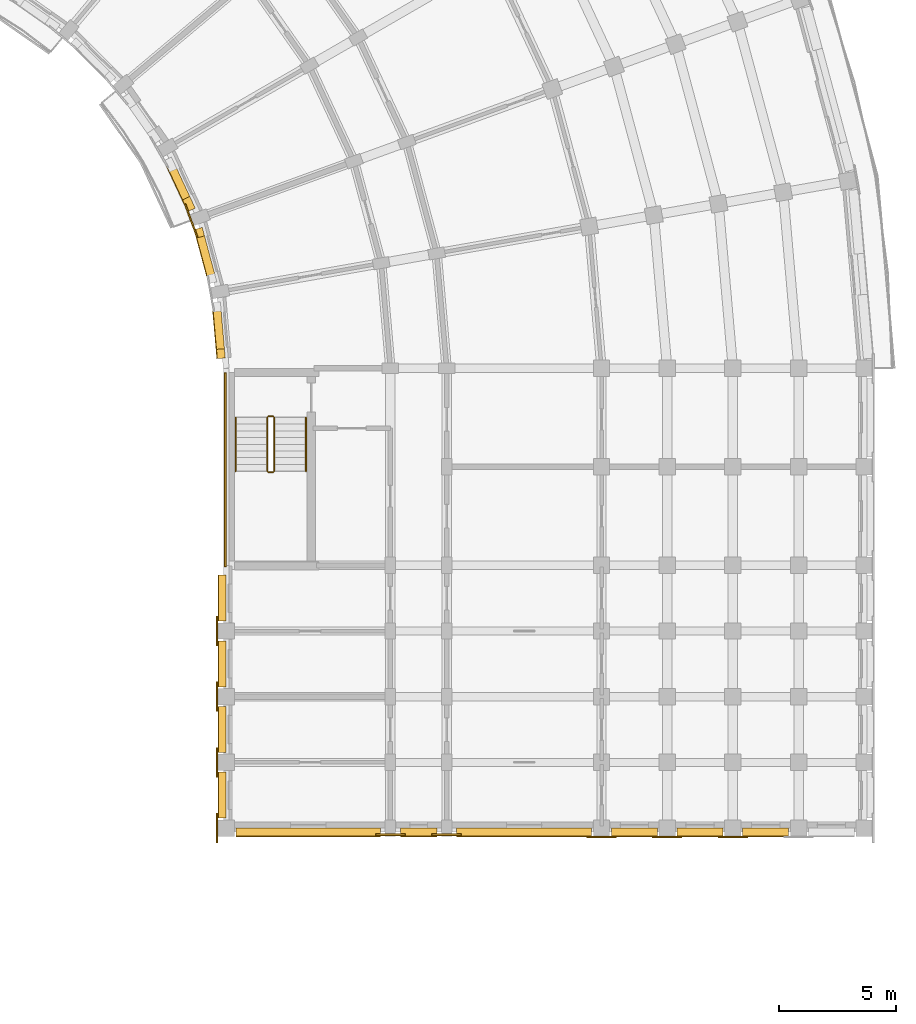
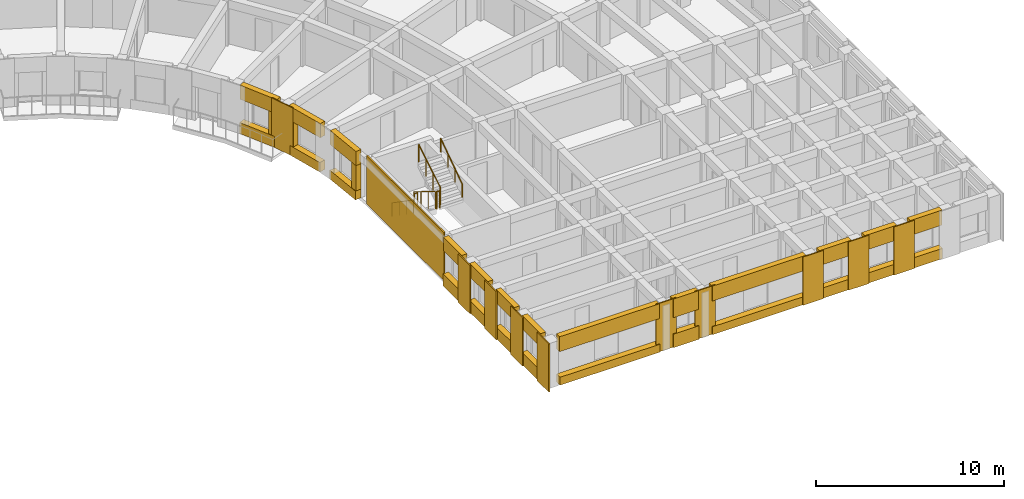
# One storey, part 52 of 57: 40 coverings, 6 railings.
"""IFC4 building model written with IfcOpenShell, lengths in metres."""

import ifcopenshell
import ifcopenshell.guid

model = None  # the IFC model being written
_history = None  # IfcOwnerHistory: only IFC2X3 demands one
_inside = {}  # id of a spatial element -> (the spatial element, [elements in it])
_under = {}  # id of a project, library or spatial element -> (it, [spatial elements below it])
_declared = {}  # id of a project -> (the project, [libraries it declares])
_typed = {}  # id of a type object -> (the type object, [elements of that type])
_made_of = {}  # id of a material, layer set ... -> (it, [elements and type objects made of it])


def new_model(schema):
    """Start an empty IFC model of exactly this schema.

    Asked for "IFC4X3", IfcOpenShell would pick the latest addendum, in which some entities
    have other attributes; the version numbers below select the first issue.
    IFC2X3 requires an IfcOwnerHistory on every rooted entity: one is made here for all.
    """
    global model, _history
    if schema == "IFC4X3":
        model = ifcopenshell.file(schema_version=(4, 3, 0, 0))
    else:
        model = ifcopenshell.file(schema=schema)
    _inside.clear()
    _under.clear()
    _declared.clear()
    _typed.clear()
    _made_of.clear()
    _history = None
    if model.schema == "IFC2X3":
        org = make("IfcOrganization", Name="unknown")
        user = make(
            "IfcPersonAndOrganization",
            ThePerson=make("IfcPerson", FamilyName="unknown"),
            TheOrganization=org,
        )
        app = make(
            "IfcApplication",
            ApplicationDeveloper=org,
            Version="unknown",
            ApplicationFullName="unknown",
            ApplicationIdentifier="unknown",
        )
        _history = make(
            "IfcOwnerHistory",
            OwningUser=user,
            OwningApplication=app,
            ChangeAction="ADDED",
            CreationDate=0,
        )
    return model


def make(cls, **values):
    """One entity of the class cls with the attributes given. An attribute that is None is left unset."""
    return model.create_entity(
        cls, **{name: value for name, value in values.items() if value is not None}
    )


def rooted(cls, **values):
    """An entity with a GlobalId (a new one), such as an element, a storey or a relation."""
    return make(cls, GlobalId=ifcopenshell.guid.new(), OwnerHistory=_history, **values)


def si_unit(unit_type, name, prefix=None):
    """IfcSIUnit, for example si_unit("LENGTHUNIT", "METRE", prefix="MILLI")."""
    return make("IfcSIUnit", UnitType=unit_type, Prefix=prefix, Name=name)


def assignment(units):
    """IfcUnitAssignment: the units of a project."""
    return None if units is None else make("IfcUnitAssignment", Units=units)


def point(xyz):
    """IfcCartesianPoint."""
    return None if xyz is None else make("IfcCartesianPoint", Coordinates=xyz)


def direction(xyz):
    """IfcDirection."""
    return None if xyz is None else make("IfcDirection", DirectionRatios=xyz)


def frame(location, z_axis=None, x_axis=None):
    """IfcAxis2Placement3D, a coordinate frame: its origin and axes. An axis left out is left unset."""
    return make(
        "IfcAxis2Placement3D",
        Location=point(location),
        Axis=direction(z_axis),
        RefDirection=direction(x_axis),
    )


def frame_2d(location, x_axis=None):
    """IfcAxis2Placement2D, a coordinate frame in the plane: its origin and x axis."""
    return make(
        "IfcAxis2Placement2D", Location=point(location), RefDirection=direction(x_axis)
    )


def origin():
    """The frame at (0, 0, 0) with its axes left unset."""
    return frame((0.0, 0.0, 0.0))


def origin_2d():
    """The frame at (0, 0) in the plane with its x axis left unset."""
    return frame_2d((0.0, 0.0))


def place(relative_to, where):
    """IfcLocalPlacement: puts the frame where relative to a parent placement (None: the world)."""
    return make(
        "IfcLocalPlacement", PlacementRelTo=relative_to, RelativePlacement=where
    )


def context(
    kind, dimensions, precision=None, world=None, true_north=None, identifier=None
):
    """IfcGeometricRepresentationContext, for example the 3D "Model" context."""
    return make(
        "IfcGeometricRepresentationContext",
        ContextIdentifier=identifier,
        ContextType=kind,
        CoordinateSpaceDimension=dimensions,
        Precision=precision,
        WorldCoordinateSystem=world,
        TrueNorth=true_north,
    )


def subcontext(parent, identifier, kind, view, scale=None):
    """IfcGeometricRepresentationSubContext, for example "Body" below "Model"."""
    return make(
        "IfcGeometricRepresentationSubContext",
        ContextIdentifier=identifier,
        ContextType=kind,
        ParentContext=parent,
        TargetScale=scale,
        TargetView=view,
    )


def project(units=None, contexts=None):
    """IfcProject with its units and contexts."""
    return rooted(
        "IfcProject",
        Name="project",
        RepresentationContexts=contexts,
        UnitsInContext=assignment(units),
    )


def spatial(cls, under=None, at=None, **own):
    """A site, building, storey or space (cls), placed at a placement, below another one or the project."""
    s = rooted(cls, ObjectPlacement=at, **own)
    if under is not None:
        _under.setdefault(under.id(), (under, []))[1].append(s)
    return s


def polyline(points):
    """IfcPolyline through the points."""
    return make("IfcPolyline", Points=[point(p) for p in points])


def profile(cls, at=None, kind="AREA", **sizes):
    """A parametric profile (cls). Its sizes go by their IFC names, for example OverallWidth=200.0."""
    return make(cls, ProfileType=kind, Position=at, **sizes)


def circle(**sizes):
    """IfcCircleProfileDef."""
    return profile("IfcCircleProfileDef", **sizes)


def outline(outer, holes=None, kind="AREA"):
    """IfcArbitraryClosedProfileDef: a profile drawn as a closed curve; with holes, ...WithVoids."""
    if holes is None:
        return make("IfcArbitraryClosedProfileDef", ProfileType=kind, OuterCurve=outer)
    return make(
        "IfcArbitraryProfileDefWithVoids",
        ProfileType=kind,
        OuterCurve=outer,
        InnerCurves=holes,
    )


def extrude(swept, where, along, depth):
    """IfcExtrudedAreaSolid: the profile swept, set in the frame where, extruded along a direction by depth."""
    return make(
        "IfcExtrudedAreaSolid",
        SweptArea=swept,
        Position=where,
        ExtrudedDirection=direction(along),
        Depth=depth,
    )


def shape(context_of_items, identifier, shape_type, items):
    """IfcShapeRepresentation: the items that make up one representation, for example the "Body"."""
    return make(
        "IfcShapeRepresentation",
        ContextOfItems=context_of_items,
        RepresentationIdentifier=identifier,
        RepresentationType=shape_type,
        Items=items,
    )


def material(Name=None, Category=None):
    """IfcMaterial."""
    return make("IfcMaterial", Name=Name, Category=Category)


def layer(
    of_material, thickness, ventilated=None, Name=None, Category=None, Priority=None
):
    """IfcMaterialLayer: one layer of a wall or slab, of a material (None: an air gap)."""
    return make(
        "IfcMaterialLayer",
        Material=of_material,
        LayerThickness=thickness,
        IsVentilated=ventilated,
        Name=Name,
        Category=Category,
        Priority=Priority,
    )


def layer_set(layers, Name=None):
    """IfcMaterialLayerSet."""
    return make("IfcMaterialLayerSet", MaterialLayers=layers, LayerSetName=Name)


def made_of(thing, what):
    """Note that an element or type object is made of a material, layer set ...; save() writes the relation."""
    if what is not None:
        _made_of.setdefault(what.id(), (what, []))[1].append(thing)
    return thing


def type_object(cls, material=None, **own):
    """A type object (cls), such as IfcWallType, which elements share."""
    return made_of(rooted(cls, **own), material)


def element(
    cls,
    number,
    at=None,
    inside=None,
    cuts=None,
    type_object=None,
    material=None,
    context=None,
    identifier="Body",
    shape_type=None,
    held_by="IfcProductDefinitionShape",
    body=None,
    shapes=None,
    **own,
):
    """One element of the class cls, such as IfcWall. Its Tag is "e" and its number.

    at: its placement. inside: the storey or other place that contains it. cuts: it is an
    opening in that element (IfcRelVoidsElement). A single representation is given by context,
    identifier, shape_type and body (its items); several are given by shapes. held_by: the class
    of the entity that holds the representations. save() writes the other relations.
    """
    e = rooted(cls, Tag="e%d" % number, ObjectPlacement=at, **own)
    if body is not None:
        shapes = [shape(context, identifier, shape_type, body)]
    if shapes is not None:
        e.Representation = make(held_by, Representations=shapes)
    if inside is not None:
        _inside.setdefault(inside.id(), (inside, []))[1].append(e)
    if cuts is not None:
        rooted(
            "IfcRelVoidsElement", RelatingBuildingElement=cuts, RelatedOpeningElement=e
        )
    if type_object is not None:
        _typed.setdefault(type_object.id(), (type_object, []))[1].append(e)
    return made_of(e, material)


def aggregate(whole, parts):
    """IfcRelAggregates: a whole, such as a stair, and the parts it consists of."""
    return rooted("IfcRelAggregates", RelatingObject=whole, RelatedObjects=parts)


def save(model, path):
    """Write the relations noted so far, then the file.

    IfcRelAggregates (storeys below a building ...), IfcRelContainedInSpatialStructure (elements
    in a storey), IfcRelDefinesByType, IfcRelAssociatesMaterial and IfcRelDeclares: one each for
    every whole, place, type object, material and project.
    """
    for whole, parts in _under.values():
        aggregate(whole, parts)
    for where, things in _inside.values():
        rooted(
            "IfcRelContainedInSpatialStructure",
            RelatedElements=things,
            RelatingStructure=where,
        )
    for kind, things in _typed.values():
        rooted("IfcRelDefinesByType", RelatedObjects=things, RelatingType=kind)
    for what, things in _made_of.values():
        rooted("IfcRelAssociatesMaterial", RelatedObjects=things, RelatingMaterial=what)
    for by, libraries in _declared.values():
        rooted("IfcRelDeclares", RelatingContext=by, RelatedDefinitions=libraries)
    model.write(path)


model = new_model("IFC4")

# Units and contexts
model_context = context("Model", 3, precision=1e-05, world=origin(), true_north=direction((0.0, 1.0)))
body_context = subcontext(model_context, "Body", "Model", "MODEL_VIEW")
ifc_project = project(units=[si_unit("LENGTHUNIT", "METRE"), si_unit("AREAUNIT", "SQUARE_METRE"), si_unit("VOLUMEUNIT", "CUBIC_METRE"), si_unit("PLANEANGLEUNIT", "RADIAN"), si_unit("MASSUNIT", "GRAM", prefix="KILO")], contexts=[model_context])

# Site, building, storey
site_placement = place(None, origin())
site = spatial("IfcSite", under=ifc_project, at=site_placement, CompositionType="ELEMENT")
building_placement = place(site_placement, origin())
building = spatial("IfcBuilding", under=site, at=building_placement, Name="Kiranvali Square Residences", CompositionType="ELEMENT")
storey_placement = place(building_placement, frame((0.0, 0.0, 18.14990234375)))
storey = spatial("IfcBuildingStorey", under=building, at=storey_placement, Name="L05", CompositionType="ELEMENT", Elevation=18.14990234375)

# Coverings
ifc_material_1 = material(Name="Honed Porbandar limestone ashlar facade cladding", Category="masonry")
ifc_layer_1 = layer(ifc_material_1, 0.3798828125)
ifc_layer_set_1 = layer_set([ifc_layer_1], Name="Honed Porbandar limestone ashlar facade cladding")
covering_type_1 = type_object("IfcCoveringType", Name="COV-CLAD-JAMB", PredefinedType="CLADDING", material=ifc_layer_set_1)
covering_1_placement = place(storey_placement, frame((0.0, 0.0, 0.72216796875)))
element("IfcCovering", 1, at=covering_1_placement, inside=storey, type_object=covering_type_1, Name="L05 deep limestone window jamb reveal B-L05-GDN-06.R", PredefinedType="CLADDING", context=body_context, shape_type="SweptSolid", body=[
    extrude(outline(polyline([(136.740234375, 94.982177734375), (136.97216796875, 94.485107421875), (137.27978515625, 94.62841796875), (137.048095703125, 95.125732421875), (136.740234375, 94.982177734375)])), origin(), (0.0, 0.0, 1.0), 1.5),
])
covering_2_placement = place(storey_placement, frame((0.0, 0.0, 0.6220703125)))
element("IfcCovering", 2, at=covering_2_placement, inside=storey, type_object=covering_type_1, Name="L05 deep limestone window jamb reveal B-L05-GDN-07.L", PredefinedType="CLADDING", context=body_context, shape_type="SweptSolid", body=[
    extrude(outline(polyline([(137.251708984375, 93.717041015625), (137.348388671875, 93.356201171875), (137.67626953125, 93.444091796875), (137.57958984375, 93.804931640625), (137.251708984375, 93.717041015625)])), origin(), (0.0, 0.0, 1.0), 1.60009765625),
])
covering_3_placement = place(storey_placement, frame((0.0, 0.0, 0.572021484375)))
element("IfcCovering", 3, at=covering_3_placement, inside=storey, type_object=covering_type_1, Name="L05 deep limestone window jamb reveal B-L05-GDN-08.R", PredefinedType="CLADDING", context=body_context, shape_type="SweptSolid", body=[
    extrude(outline(polyline([(138.188232421875, 88.605712890625), (138.222900390625, 88.208740234375), (138.56103515625, 88.23828125), (138.5263671875, 88.63525390625), (138.188232421875, 88.605712890625)])), origin(), (0.0, 0.0, 1.0), 1.650146484375),
])
ifc_layer_2 = layer(ifc_material_1, 0.06494140625)
ifc_layer_set_2 = layer_set([ifc_layer_2], Name="Honed Porbandar limestone ashlar facade cladding")
covering_type_2 = type_object("IfcCoveringType", Name="COV-CLAD-PIER", PredefinedType="CLADDING", material=ifc_layer_set_2)
covering_4_placement = place(storey_placement, frame((0.0, 0.0, 0.005126953125)))
element("IfcCovering", 4, at=covering_4_placement, inside=storey, type_object=covering_type_2, Name="Block B L05 Arm 2 stair limestone ashlar cladding", PredefinedType="CLADDING", context=body_context, shape_type="SweptSolid", body=[
    extrude(outline(polyline([(138.52001953125, 87.60009765625), (138.52001953125, 79.35009765625), (138.597900390625, 79.35009765625), (138.597900390625, 87.60009765625), (138.52001953125, 87.60009765625)])), origin(), (0.0, 0.0, 1.0), 3.139892578125),
])
ifc_layer_3 = layer(ifc_material_1, 0.050048828125)
ifc_layer_set_3 = layer_set([ifc_layer_3], Name="Honed Porbandar limestone ashlar facade cladding")
covering_type_3 = type_object("IfcCoveringType", Name="COV-CLAD-PIER-IN", PredefinedType="CLADDING", material=ifc_layer_set_3)
covering_5_placement = place(storey_placement, frame((0.0, 0.0, 0.005126953125)))
element("IfcCovering", 5, at=covering_5_placement, inside=storey, type_object=covering_type_3, Name="L05 Classical garden courtyard pilaster CLAD-PRIN-B-L05-A07", PredefinedType="CLADDING", context=body_context, shape_type="SweptSolid", body=[
    extrude(outline(polyline([(136.81689453125, 94.791748046875), (137.329833984375, 93.38232421875), (137.393310546875, 93.4052734375), (136.88037109375, 94.81494140625), (136.81689453125, 94.791748046875)])), origin(), (0.0, 0.0, 1.0), 3.139892578125),
])
covering_6_placement = place(storey_placement, frame((0.0, 0.0, 0.005126953125)))
element("IfcCovering", 6, at=covering_6_placement, inside=storey, type_object=covering_type_3, Name="L05 Classical limestone pilaster casing CLAD-PRA2I-B-L05-V112", PredefinedType="CLADDING", context=body_context, shape_type="SweptSolid", body=[
    extrude(outline(polyline([(138.181884765625, 77.22998046875), (138.181884765625, 75.969970703125), (138.24951171875, 75.969970703125), (138.24951171875, 77.22998046875), (138.181884765625, 77.22998046875)])), origin(), (0.0, 0.0, 1.0), 3.139892578125),
])
covering_7_placement = place(storey_placement, frame((0.0, 0.0, 0.005126953125)))
element("IfcCovering", 7, at=covering_7_placement, inside=storey, type_object=covering_type_3, Name="L05 Classical limestone pilaster casing CLAD-PRA2I-B-L05-V140", PredefinedType="CLADDING", context=body_context, shape_type="SweptSolid", body=[
    extrude(outline(polyline([(138.181884765625, 74.429931640625), (138.181884765625, 73.169921875), (138.24951171875, 73.169921875), (138.24951171875, 74.429931640625), (138.181884765625, 74.429931640625)])), origin(), (0.0, 0.0, 1.0), 3.139892578125),
])
covering_8_placement = place(storey_placement, frame((0.0, 0.0, 0.005126953125)))
element("IfcCovering", 8, at=covering_8_placement, inside=storey, type_object=covering_type_3, Name="L05 Classical limestone pilaster casing CLAD-PRA2I-B-L05-V167", PredefinedType="CLADDING", context=body_context, shape_type="SweptSolid", body=[
    extrude(outline(polyline([(138.181884765625, 71.6298828125), (138.181884765625, 70.3701171875), (138.24951171875, 70.3701171875), (138.24951171875, 71.6298828125), (138.181884765625, 71.6298828125)])), origin(), (0.0, 0.0, 1.0), 3.139892578125),
])
covering_9_placement = place(storey_placement, frame((0.0, 0.0, 0.005126953125)))
element("IfcCovering", 9, at=covering_9_placement, inside=storey, type_object=covering_type_3, Name="L05 Classical limestone pilaster casing CLAD-PRA2I-B-L05-V196", PredefinedType="CLADDING", context=body_context, shape_type="SweptSolid", body=[
    extrude(outline(polyline([(138.181884765625, 68.830078125), (138.181884765625, 67.570068359375), (138.24951171875, 67.570068359375), (138.24951171875, 68.830078125), (138.181884765625, 68.830078125)])), origin(), (0.0, 0.0, 1.0), 3.139892578125),
])
ifc_layer_4 = layer(ifc_material_1, 0.054931640625)
ifc_layer_set_4 = layer_set([ifc_layer_4], Name="Honed Porbandar limestone ashlar facade cladding")
covering_type_4 = type_object("IfcCoveringType", Name="COV-CLAD-PIER-UP", PredefinedType="CLADDING", material=ifc_layer_set_4)
covering_10_placement = place(storey_placement, frame((0.0, 0.0, 0.005126953125)))
element("IfcCovering", 10, at=covering_10_placement, inside=storey, type_object=covering_type_4, Name="L05 Classical limestone pilaster casing CLAD-PRA2E-B-L05-R258", PredefinedType="CLADDING", context=body_context, shape_type="SweptSolid", body=[
    extrude(outline(polyline([(144.969970703125, 67.882080078125), (146.22998046875, 67.882080078125), (146.22998046875, 67.949462890625), (144.969970703125, 67.949462890625), (144.969970703125, 67.882080078125)])), origin(), (0.0, 0.0, 1.0), 3.139892578125),
])
covering_11_placement = place(storey_placement, frame((0.0, 0.0, 0.005126953125)))
element("IfcCovering", 11, at=covering_11_placement, inside=storey, type_object=covering_type_4, Name="L05 Classical limestone pilaster casing CLAD-PRA2E-B-L05-R282", PredefinedType="CLADDING", context=body_context, shape_type="SweptSolid", body=[
    extrude(outline(polyline([(147.3701171875, 67.882080078125), (148.6298828125, 67.882080078125), (148.6298828125, 67.949462890625), (147.3701171875, 67.949462890625), (147.3701171875, 67.882080078125)])), origin(), (0.0, 0.0, 1.0), 3.139892578125),
])
covering_12_placement = place(storey_placement, frame((0.0, 0.0, 0.005126953125)))
element("IfcCovering", 12, at=covering_12_placement, inside=storey, type_object=covering_type_4, Name="L05 Classical limestone pilaster casing CLAD-PRA2E-B-L05-R348", PredefinedType="CLADDING", context=body_context, shape_type="SweptSolid", body=[
    extrude(outline(polyline([(153.969970703125, 67.781982421875), (155.22998046875, 67.781982421875), (155.22998046875, 67.849609375), (153.969970703125, 67.849609375), (153.969970703125, 67.781982421875)])), origin(), (0.0, 0.0, 1.0), 3.139892578125),
])
covering_13_placement = place(storey_placement, frame((0.0, 0.0, 0.005126953125)))
element("IfcCovering", 13, at=covering_13_placement, inside=storey, type_object=covering_type_4, Name="L05 Classical limestone pilaster casing CLAD-PRA2E-B-L05-R376", PredefinedType="CLADDING", context=body_context, shape_type="SweptSolid", body=[
    extrude(outline(polyline([(156.77001953125, 67.781982421875), (158.030029296875, 67.781982421875), (158.030029296875, 67.849609375), (156.77001953125, 67.849609375), (156.77001953125, 67.781982421875)])), origin(), (0.0, 0.0, 1.0), 3.139892578125),
])
covering_14_placement = place(storey_placement, frame((0.0, 0.0, 0.005126953125)))
element("IfcCovering", 14, at=covering_14_placement, inside=storey, type_object=covering_type_4, Name="L05 Classical limestone pilaster casing CLAD-PRA2E-B-L05-R404", PredefinedType="CLADDING", context=body_context, shape_type="SweptSolid", body=[
    extrude(outline(polyline([(159.570068359375, 67.781982421875), (160.830078125, 67.781982421875), (160.830078125, 67.849609375), (159.570068359375, 67.849609375), (159.570068359375, 67.781982421875)])), origin(), (0.0, 0.0, 1.0), 3.139892578125),
])
ifc_layer_5 = layer(ifc_material_1, 0.360107421875)
ifc_layer_set_5 = layer_set([ifc_layer_5], Name="Honed Porbandar limestone ashlar facade cladding")
covering_type_5 = type_object("IfcCoveringType", Name="COV-CLAD-WALL", PredefinedType="CLADDING", material=ifc_layer_set_5)
covering_15_placement = place(storey_placement, frame((0.0, 0.0, 2.22216796875)))
element("IfcCovering", 15, at=covering_15_placement, inside=storey, type_object=covering_type_5, Name="L05 light limestone spandrel lintel B-L05-GDN-06", PredefinedType="CLADDING", context=body_context, shape_type="SweptSolid", body=[
    extrude(outline(polyline([(135.958984375, 96.657470703125), (136.97216796875, 94.485107421875), (137.27978515625, 94.62841796875), (136.266845703125, 96.801025390625), (135.958984375, 96.657470703125)])), origin(), (0.0, 0.0, 1.0), 0.9228515625),
])
covering_16_placement = place(storey_placement, frame((0.0, 0.0, 2.22216796875)))
element("IfcCovering", 16, at=covering_16_placement, inside=storey, type_object=covering_type_5, Name="L05 light limestone spandrel lintel B-L05-GDN-07", PredefinedType="CLADDING", context=body_context, shape_type="SweptSolid", body=[
    extrude(outline(polyline([(137.251708984375, 93.717041015625), (137.8720703125, 91.401611328125), (138.199951171875, 91.489501953125), (137.57958984375, 93.804931640625), (137.251708984375, 93.717041015625)])), origin(), (0.0, 0.0, 1.0), 0.9228515625),
])
covering_17_placement = place(storey_placement, frame((0.0, 0.0, 2.22216796875)))
element("IfcCovering", 17, at=covering_17_placement, inside=storey, type_object=covering_type_5, Name="L05 light limestone spandrel lintel B-L05-GDN-08", PredefinedType="CLADDING", context=body_context, shape_type="SweptSolid", body=[
    extrude(outline(polyline([(138.013916015625, 90.5966796875), (138.222900390625, 88.208740234375), (138.56103515625, 88.23828125), (138.352294921875, 90.626220703125), (138.013916015625, 90.5966796875)])), origin(), (0.0, 0.0, 1.0), 0.9228515625),
])
covering_18_placement = place(storey_placement, frame((0.0, 0.0, 2.272216796875)))
element("IfcCovering", 18, at=covering_18_placement, inside=storey, type_object=covering_type_5, Name="L05 light limestone spandrel lintel B-L05-A2I-0", PredefinedType="CLADDING", context=body_context, shape_type="SweptSolid", body=[
    extrude(outline(polyline([(138.280029296875, 78.97998046875), (138.280029296875, 77.02001953125), (138.599609375, 77.02001953125), (138.599609375, 78.97998046875), (138.280029296875, 78.97998046875)])), origin(), (0.0, 0.0, 1.0), 0.872802734375),
])
covering_19_placement = place(storey_placement, frame((0.0, 0.0, 0.005126953125)))
element("IfcCovering", 19, at=covering_19_placement, inside=storey, type_object=covering_type_5, Name="L05 limestone window sill apron B-L05-A2I-0", PredefinedType="CLADDING", context=body_context, shape_type="SweptSolid", body=[
    extrude(outline(polyline([(138.25, 78.97998046875), (138.25, 77.02001953125), (138.599609375, 77.02001953125), (138.599609375, 78.97998046875), (138.25, 78.97998046875)])), origin(), (0.0, 0.0, 1.0), 0.76708984375),
])
covering_20_placement = place(storey_placement, frame((0.0, 0.0, 2.272216796875)))
element("IfcCovering", 20, at=covering_20_placement, inside=storey, type_object=covering_type_5, Name="L05 light limestone spandrel lintel B-L05-A2I-1", PredefinedType="CLADDING", context=body_context, shape_type="SweptSolid", body=[
    extrude(outline(polyline([(138.280029296875, 76.179931640625), (138.280029296875, 74.219970703125), (138.599609375, 74.219970703125), (138.599609375, 76.179931640625), (138.280029296875, 76.179931640625)])), origin(), (0.0, 0.0, 1.0), 0.872802734375),
])
covering_21_placement = place(storey_placement, frame((0.0, 0.0, 0.005126953125)))
element("IfcCovering", 21, at=covering_21_placement, inside=storey, type_object=covering_type_5, Name="L05 limestone window sill apron B-L05-A2I-1", PredefinedType="CLADDING", context=body_context, shape_type="SweptSolid", body=[
    extrude(outline(polyline([(138.25, 76.179931640625), (138.25, 74.219970703125), (138.599609375, 74.219970703125), (138.599609375, 76.179931640625), (138.25, 76.179931640625)])), origin(), (0.0, 0.0, 1.0), 0.76708984375),
])
covering_22_placement = place(storey_placement, frame((0.0, 0.0, 2.272216796875)))
element("IfcCovering", 22, at=covering_22_placement, inside=storey, type_object=covering_type_5, Name="L05 light limestone spandrel lintel B-L05-A2I-2", PredefinedType="CLADDING", context=body_context, shape_type="SweptSolid", body=[
    extrude(outline(polyline([(138.280029296875, 73.3798828125), (138.280029296875, 71.419921875), (138.599609375, 71.419921875), (138.599609375, 73.3798828125), (138.280029296875, 73.3798828125)])), origin(), (0.0, 0.0, 1.0), 0.872802734375),
])
covering_23_placement = place(storey_placement, frame((0.0, 0.0, 0.005126953125)))
element("IfcCovering", 23, at=covering_23_placement, inside=storey, type_object=covering_type_5, Name="L05 limestone window sill apron B-L05-A2I-2", PredefinedType="CLADDING", context=body_context, shape_type="SweptSolid", body=[
    extrude(outline(polyline([(138.25, 73.3798828125), (138.25, 71.419921875), (138.599609375, 71.419921875), (138.599609375, 73.3798828125), (138.25, 73.3798828125)])), origin(), (0.0, 0.0, 1.0), 0.76708984375),
])
covering_24_placement = place(storey_placement, frame((0.0, 0.0, 2.272216796875)))
element("IfcCovering", 24, at=covering_24_placement, inside=storey, type_object=covering_type_5, Name="L05 light limestone spandrel lintel B-L05-A2I-3", PredefinedType="CLADDING", context=body_context, shape_type="SweptSolid", body=[
    extrude(outline(polyline([(138.280029296875, 70.580078125), (138.280029296875, 68.6201171875), (138.599609375, 68.6201171875), (138.599609375, 70.580078125), (138.280029296875, 70.580078125)])), origin(), (0.0, 0.0, 1.0), 0.872802734375),
])
covering_25_placement = place(storey_placement, frame((0.0, 0.0, 0.005126953125)))
element("IfcCovering", 25, at=covering_25_placement, inside=storey, type_object=covering_type_5, Name="L05 limestone window sill apron B-L05-A2I-3", PredefinedType="CLADDING", context=body_context, shape_type="SweptSolid", body=[
    extrude(outline(polyline([(138.25, 70.580078125), (138.25, 68.6201171875), (138.599609375, 68.6201171875), (138.599609375, 70.580078125), (138.25, 70.580078125)])), origin(), (0.0, 0.0, 1.0), 0.76708984375),
])
covering_26_placement = place(storey_placement, frame((0.0, 0.0, 2.172119140625)))
element("IfcCovering", 26, at=covering_26_placement, inside=storey, type_object=covering_type_5, Name="L05 light limestone spandrel lintel B-L05-A2END-0", PredefinedType="CLADDING", context=body_context, shape_type="SweptSolid", body=[
    extrude(outline(polyline([(139.02001953125, 67.860107421875), (145.179931640625, 67.860107421875), (145.179931640625, 68.199462890625), (139.02001953125, 68.199462890625), (139.02001953125, 67.860107421875)])), origin(), (0.0, 0.0, 1.0), 0.972900390625),
])
covering_27_placement = place(storey_placement, frame((0.0, 0.0, 0.005126953125)))
element("IfcCovering", 27, at=covering_27_placement, inside=storey, type_object=covering_type_5, Name="L05 limestone window sill apron B-L05-A2END-0", PredefinedType="CLADDING", context=body_context, shape_type="SweptSolid", body=[
    extrude(outline(polyline([(139.02001953125, 67.830078125), (145.179931640625, 67.830078125), (145.179931640625, 68.199462890625), (139.02001953125, 68.199462890625), (139.02001953125, 67.830078125)])), origin(), (0.0, 0.0, 1.0), 0.51708984375),
])
covering_28_placement = place(storey_placement, frame((0.0, 0.0, 1.93017578125)))
element("IfcCovering", 28, at=covering_28_placement, inside=storey, type_object=covering_type_5, Name="L05 light limestone spandrel lintel B-L05-A2END-1", PredefinedType="CLADDING", context=body_context, shape_type="SweptSolid", body=[
    extrude(outline(polyline([(146.02001953125, 67.860107421875), (147.580078125, 67.860107421875), (147.580078125, 68.199462890625), (146.02001953125, 68.199462890625), (146.02001953125, 67.860107421875)])), origin(), (0.0, 0.0, 1.0), 1.21484375),
])
covering_29_placement = place(storey_placement, frame((0.0, 0.0, 0.005126953125)))
element("IfcCovering", 29, at=covering_29_placement, inside=storey, type_object=covering_type_5, Name="L05 limestone window sill apron B-L05-A2END-1", PredefinedType="CLADDING", context=body_context, shape_type="SweptSolid", body=[
    extrude(outline(polyline([(146.02001953125, 67.830078125), (147.580078125, 67.830078125), (147.580078125, 68.199462890625), (146.02001953125, 68.199462890625), (146.02001953125, 67.830078125)])), origin(), (0.0, 0.0, 1.0), 0.875),
])
covering_30_placement = place(storey_placement, frame((0.0, 0.0, 2.172119140625)))
element("IfcCovering", 30, at=covering_30_placement, inside=storey, type_object=covering_type_5, Name="L05 light limestone spandrel lintel B-L05-A2END-2", PredefinedType="CLADDING", context=body_context, shape_type="SweptSolid", body=[
    extrude(outline(polyline([(148.419921875, 67.860107421875), (154.179931640625, 67.860107421875), (154.179931640625, 68.199462890625), (148.419921875, 68.199462890625), (148.419921875, 67.860107421875)])), origin(), (0.0, 0.0, 1.0), 0.972900390625),
])
covering_31_placement = place(storey_placement, frame((0.0, 0.0, 0.005126953125)))
element("IfcCovering", 31, at=covering_31_placement, inside=storey, type_object=covering_type_5, Name="L05 limestone window sill apron B-L05-A2END-2", PredefinedType="CLADDING", context=body_context, shape_type="SweptSolid", body=[
    extrude(outline(polyline([(148.419921875, 67.830078125), (154.179931640625, 67.830078125), (154.179931640625, 68.199462890625), (148.419921875, 68.199462890625), (148.419921875, 67.830078125)])), origin(), (0.0, 0.0, 1.0), 0.51708984375),
])
covering_32_placement = place(storey_placement, frame((0.0, 0.0, 2.172119140625)))
element("IfcCovering", 32, at=covering_32_placement, inside=storey, type_object=covering_type_5, Name="L05 light limestone spandrel lintel B-L05-A2END-3", PredefinedType="CLADDING", context=body_context, shape_type="SweptSolid", body=[
    extrude(outline(polyline([(155.02001953125, 67.860107421875), (156.97998046875, 67.860107421875), (156.97998046875, 68.199462890625), (155.02001953125, 68.199462890625), (155.02001953125, 67.860107421875)])), origin(), (0.0, 0.0, 1.0), 0.972900390625),
])
covering_33_placement = place(storey_placement, frame((0.0, 0.0, 0.005126953125)))
element("IfcCovering", 33, at=covering_33_placement, inside=storey, type_object=covering_type_5, Name="L05 limestone window sill apron B-L05-A2END-3", PredefinedType="CLADDING", context=body_context, shape_type="SweptSolid", body=[
    extrude(outline(polyline([(155.02001953125, 67.830078125), (156.97998046875, 67.830078125), (156.97998046875, 68.199462890625), (155.02001953125, 68.199462890625), (155.02001953125, 67.830078125)])), origin(), (0.0, 0.0, 1.0), 0.6669921875),
])
covering_34_placement = place(storey_placement, frame((0.0, 0.0, 2.172119140625)))
element("IfcCovering", 34, at=covering_34_placement, inside=storey, type_object=covering_type_5, Name="L05 light limestone spandrel lintel B-L05-A2END-4", PredefinedType="CLADDING", context=body_context, shape_type="SweptSolid", body=[
    extrude(outline(polyline([(157.820068359375, 67.860107421875), (159.780029296875, 67.860107421875), (159.780029296875, 68.199462890625), (157.820068359375, 68.199462890625), (157.820068359375, 67.860107421875)])), origin(), (0.0, 0.0, 1.0), 0.972900390625),
])
covering_35_placement = place(storey_placement, frame((0.0, 0.0, 0.005126953125)))
element("IfcCovering", 35, at=covering_35_placement, inside=storey, type_object=covering_type_5, Name="L05 limestone window sill apron B-L05-A2END-4", PredefinedType="CLADDING", context=body_context, shape_type="SweptSolid", body=[
    extrude(outline(polyline([(157.820068359375, 67.830078125), (159.780029296875, 67.830078125), (159.780029296875, 68.199462890625), (157.820068359375, 68.199462890625), (157.820068359375, 67.830078125)])), origin(), (0.0, 0.0, 1.0), 0.6669921875),
])
covering_36_placement = place(storey_placement, frame((0.0, 0.0, 2.172119140625)))
element("IfcCovering", 36, at=covering_36_placement, inside=storey, type_object=covering_type_5, Name="L05 light limestone spandrel lintel B-L05-A2END-5", PredefinedType="CLADDING", context=body_context, shape_type="SweptSolid", body=[
    extrude(outline(polyline([(160.6201171875, 67.860107421875), (162.580078125, 67.860107421875), (162.580078125, 68.199462890625), (160.6201171875, 68.199462890625), (160.6201171875, 67.860107421875)])), origin(), (0.0, 0.0, 1.0), 0.972900390625),
])
covering_37_placement = place(storey_placement, frame((0.0, 0.0, 0.005126953125)))
element("IfcCovering", 37, at=covering_37_placement, inside=storey, type_object=covering_type_5, Name="L05 limestone window sill apron B-L05-A2END-5", PredefinedType="CLADDING", context=body_context, shape_type="SweptSolid", body=[
    extrude(outline(polyline([(160.6201171875, 67.830078125), (162.580078125, 67.830078125), (162.580078125, 68.199462890625), (160.6201171875, 68.199462890625), (160.6201171875, 67.830078125)])), origin(), (0.0, 0.0, 1.0), 0.6669921875),
])
ifc_layer_6 = layer(ifc_material_1, 0.2900390625)
ifc_layer_set_6 = layer_set([ifc_layer_6], Name="Honed Porbandar limestone ashlar facade cladding")
covering_type_6 = type_object("IfcCoveringType", Name="COV-CLAD-WALL-IN", PredefinedType="CLADDING", material=ifc_layer_set_6)
covering_38_placement = place(storey_placement, frame((0.0, 0.0, 0.005126953125)))
element("IfcCovering", 38, at=covering_38_placement, inside=storey, type_object=covering_type_6, Name="L05 limestone window sill apron B-L05-GDN-06", PredefinedType="CLADDING", context=body_context, shape_type="SweptSolid", body=[
    extrude(outline(polyline([(135.931884765625, 96.644775390625), (136.94482421875, 94.472412109375), (137.27978515625, 94.62841796875), (136.266845703125, 96.801025390625), (135.931884765625, 96.644775390625)])), origin(), (0.0, 0.0, 1.0), 0.717041015625),
])
covering_39_placement = place(storey_placement, frame((0.0, 0.0, 0.005126953125)))
element("IfcCovering", 39, at=covering_39_placement, inside=storey, type_object=covering_type_6, Name="L05 limestone window sill apron B-L05-GDN-07", PredefinedType="CLADDING", context=body_context, shape_type="SweptSolid", body=[
    extrude(outline(polyline([(137.22265625, 93.709228515625), (137.843017578125, 91.393798828125), (138.199951171875, 91.489501953125), (137.57958984375, 93.804931640625), (137.22265625, 93.709228515625)])), origin(), (0.0, 0.0, 1.0), 0.616943359375),
])
covering_40_placement = place(storey_placement, frame((0.0, 0.0, 0.005126953125)))
element("IfcCovering", 40, at=covering_40_placement, inside=storey, type_object=covering_type_6, Name="L05 limestone window sill apron B-L05-GDN-08", PredefinedType="CLADDING", context=body_context, shape_type="SweptSolid", body=[
    extrude(outline(polyline([(137.984130859375, 90.593994140625), (138.193115234375, 88.2060546875), (138.56103515625, 88.23828125), (138.352294921875, 90.626220703125), (137.984130859375, 90.593994140625)])), origin(), (0.0, 0.0, 1.0), 0.56689453125),
])

# Railings
ifc_material_2 = material(Name="Brushed stainless steel tubular handrail", Category="steel")
railing_type_1 = type_object("IfcRailingType", Name="RL-HANDRAIL-900", PredefinedType="HANDRAIL", material=ifc_material_2)
railing_1_placement = place(storey_placement, frame((139.0, 85.699951171875, 0.175048828125)))
element("IfcRailing", 41, at=railing_1_placement, inside=storey, type_object=railing_type_1, Name="L05 ST-B3 stair handrail 1", PredefinedType="HANDRAIL", context=body_context, shape_type="SweptSolid", body=[
    extrude(circle(Radius=0.02392578125, at=origin_2d()), frame((0.0, 0.0, 0.8759765625), z_axis=(0.0, -0.82278801735, 0.568348377763), x_axis=(1.0, 0.0, 0.0)), (0.0, 0.0, 1.0), 2.77099609375),
    extrude(circle(Radius=0.02099609375, at=origin_2d()), origin(), (0.0, 0.0, 1.0), 0.851806640625),
    extrude(circle(Radius=0.02099609375, at=origin_2d()), frame((0.0, -0.760009765625, 0.52490234375)), (0.0, 0.0, 1.0), 0.851806640625),
    extrude(circle(Radius=0.02099609375, at=origin_2d()), frame((0.0, -1.52001953125, 1.050048828125)), (0.0, 0.0, 1.0), 0.851806640625),
    extrude(circle(Radius=0.02099609375, at=origin_2d()), frame((0.0, -2.280029296875, 1.574951171875)), (0.0, 0.0, 1.0), 0.851806640625),
])
railing_2_placement = place(storey_placement, frame((142.0, 83.419921875, 1.75)))
element("IfcRailing", 42, at=railing_2_placement, inside=storey, type_object=railing_type_1, Name="L05 ST-B3 stair handrail 2", PredefinedType="HANDRAIL", context=body_context, shape_type="SweptSolid", body=[
    extrude(circle(Radius=0.02392578125, at=origin_2d()), frame((0.0, 0.0, 0.8759765625), z_axis=(0.0, 0.82274681792, 0.568408016835), x_axis=(-1.0, 0.0, 0.0)), (0.0, 0.0, 1.0), 2.771240234375),
    extrude(circle(Radius=0.02099609375, at=origin_2d()), origin(), (0.0, 0.0, 1.0), 0.851806640625),
    extrude(circle(Radius=0.02099609375, at=origin_2d()), frame((0.0, 0.760009765625, 0.525146484375)), (0.0, 0.0, 1.0), 0.851806640625),
    extrude(circle(Radius=0.02099609375, at=origin_2d()), frame((0.0, 1.52001953125, 1.050048828125)), (0.0, 0.0, 1.0), 0.851806640625),
    extrude(circle(Radius=0.02099609375, at=origin_2d()), frame((0.0, 2.280029296875, 1.5751953125)), (0.0, 0.0, 1.0), 0.851806640625),
])
ifc_material_3 = material(Name="Powder-coated architectural bronze balustrade", Category="steel")
railing_type_2 = type_object("IfcRailingType", Name="RL-ST-GUARD-1200", PredefinedType="GUARDRAIL", material=ifc_material_3)
railing_3_placement = place(storey_placement, frame((140.35009765625, 85.699951171875, 0.175048828125)))
element("IfcRailing", 43, at=railing_3_placement, inside=storey, type_object=railing_type_2, Name="L05 ST-B3 stair guard 1", PredefinedType="GUARDRAIL", context=body_context, shape_type="SweptSolid", body=[
    extrude(circle(Radius=0.02392578125, at=origin_2d()), frame((0.0, 0.0, 1.1259765625), z_axis=(0.0, -0.852149810458, 0.523297908018), x_axis=(1.0, 0.0, 0.0)), (0.0, 0.0, 1.0), 2.675537109375),
    extrude(circle(Radius=0.02099609375, at=origin_2d()), origin(), (0.0, 0.0, 1.0), 1.101806640625),
    extrude(circle(Radius=0.02099609375, at=origin_2d()), frame((0.0, -0.760009765625, 0.466796875)), (0.0, 0.0, 1.0), 1.101806640625),
    extrude(circle(Radius=0.02099609375, at=origin_2d()), frame((0.0, -1.52001953125, 0.933349609375)), (0.0, 0.0, 1.0), 1.101806640625),
    extrude(circle(Radius=0.02099609375, at=origin_2d()), frame((0.0, -2.280029296875, 1.400146484375)), (0.0, 0.0, 1.0), 1.101806640625),
])
railing_4_placement = place(storey_placement, frame((140.39990234375, 83.3701171875, 1.5751953125)))
element("IfcRailing", 44, at=railing_4_placement, inside=storey, type_object=railing_type_2, Name="L05 ST-B3 stair guard 2", PredefinedType="GUARDRAIL", context=body_context, shape_type="SweptSolid", body=[
    extrude(circle(Radius=0.02392578125, at=origin_2d()), frame((0.0, 0.0, 1.1259765625), z_axis=(1.0, 0.0, 0.0), x_axis=(0.0, 1.0, 0.0)), (0.0, 0.0, 1.0), 0.2001953125),
    extrude(circle(Radius=0.02099609375, at=origin_2d()), origin(), (0.0, 0.0, 1.0), 1.101806640625),
    extrude(circle(Radius=0.02099609375, at=origin_2d()), frame((0.2001953125, 0.0, 0.0)), (0.0, 0.0, 1.0), 1.101806640625),
])
railing_5_placement = place(storey_placement, frame((140.64990234375, 83.419921875, 1.75)))
element("IfcRailing", 45, at=railing_5_placement, inside=storey, type_object=railing_type_2, Name="L05 ST-B3 stair guard 3", PredefinedType="GUARDRAIL", context=body_context, shape_type="SweptSolid", body=[
    extrude(circle(Radius=0.02392578125, at=origin_2d()), frame((0.0, 0.0, 1.1259765625), z_axis=(0.0, 0.852149810458, 0.523297908018), x_axis=(-1.0, 0.0, 0.0)), (0.0, 0.0, 1.0), 2.675537109375),
    extrude(circle(Radius=0.02099609375, at=origin_2d()), origin(), (0.0, 0.0, 1.0), 1.101806640625),
    extrude(circle(Radius=0.02099609375, at=origin_2d()), frame((0.0, 0.760009765625, 0.466796875)), (0.0, 0.0, 1.0), 1.101806640625),
    extrude(circle(Radius=0.02099609375, at=origin_2d()), frame((0.0, 1.52001953125, 0.933349609375)), (0.0, 0.0, 1.0), 1.101806640625),
    extrude(circle(Radius=0.02099609375, at=origin_2d()), frame((0.0, 2.280029296875, 1.400146484375)), (0.0, 0.0, 1.0), 1.101806640625),
])
railing_6_placement = place(storey_placement, frame((140.39990234375, 85.75, 0.0)))
element("IfcRailing", 46, at=railing_6_placement, inside=storey, type_object=railing_type_2, Name="L05 ST-B3 stair guard 4", PredefinedType="GUARDRAIL", context=body_context, shape_type="SweptSolid", body=[
    extrude(circle(Radius=0.02392578125, at=origin_2d()), frame((0.0, 0.0, 1.1259765625), z_axis=(1.0, 0.0, 0.0), x_axis=(0.0, 1.0, 0.0)), (0.0, 0.0, 1.0), 0.2001953125),
    extrude(circle(Radius=0.02099609375, at=origin_2d()), origin(), (0.0, 0.0, 1.0), 1.101806640625),
    extrude(circle(Radius=0.02099609375, at=origin_2d()), frame((0.2001953125, 0.0, 0.0)), (0.0, 0.0, 1.0), 1.101806640625),
])

save(model, "model.ifc")
